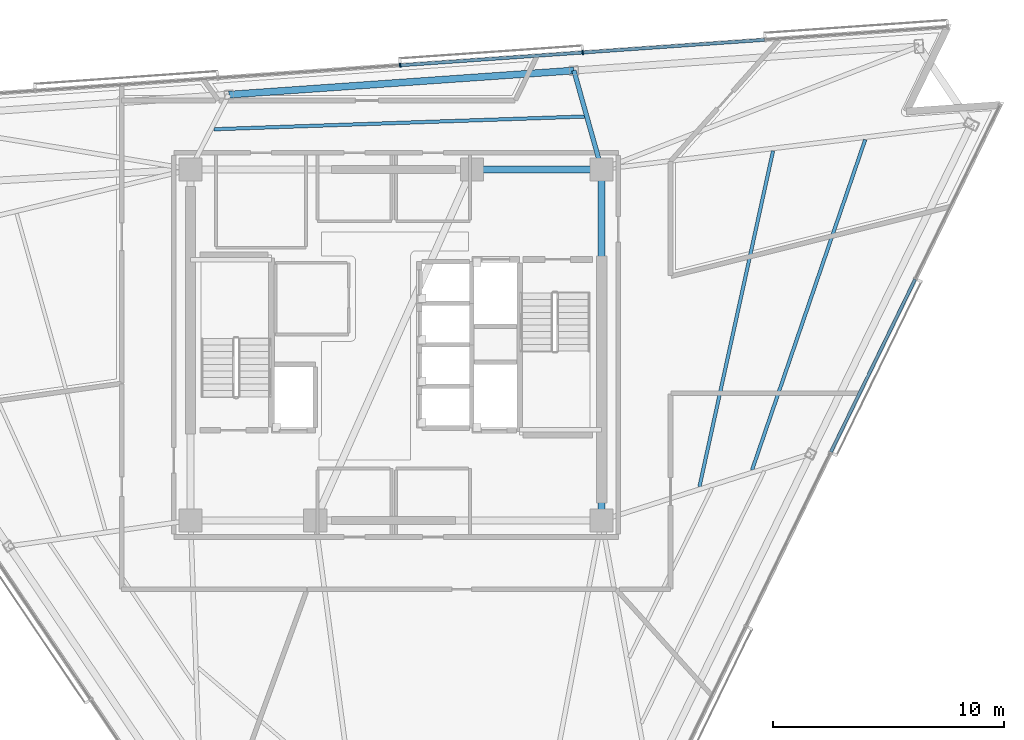
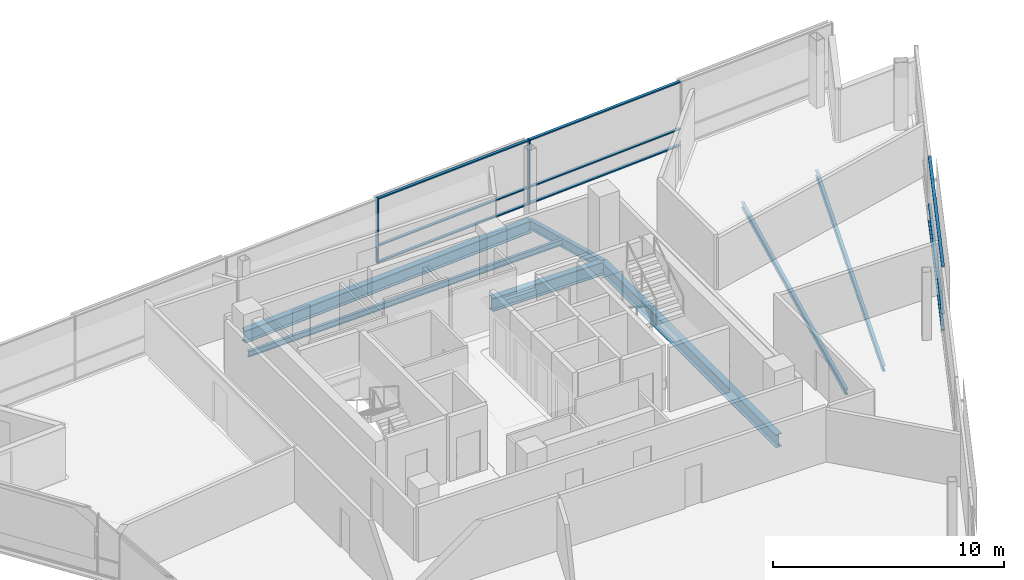
# One storey, part 6 of 16: 11 members, 7 beams, 2 elements without a shape of their own.
"""IFC4 building model written with IfcOpenShell, lengths in metres."""

from ifc_helpers import new_model, si_unit, direction, frame, origin, origin_2d, place, context, subcontext, project, spatial, rectangle, i_section, extrude, material, layer, layer_set, material_profile, profile_set, type_object, element, aggregate, save


model = new_model("IFC4")

# Units and contexts
model_context = context("Model", 3, precision=1e-05, world=origin(), true_north=direction((0.0, 1.0)))
body_context = subcontext(model_context, "Body", "Model", "MODEL_VIEW")
ifc_project = project(units=[si_unit("LENGTHUNIT", "METRE"), si_unit("AREAUNIT", "SQUARE_METRE"), si_unit("VOLUMEUNIT", "CUBIC_METRE"), si_unit("PLANEANGLEUNIT", "RADIAN"), si_unit("MASSUNIT", "GRAM", prefix="KILO")], contexts=[model_context])

# Site, building, storey
site_placement = place(None, origin())
site = spatial("IfcSite", under=ifc_project, at=site_placement, CompositionType="ELEMENT")
building_placement = place(site_placement, origin())
building = spatial("IfcBuilding", under=site, at=building_placement, Name="Tharavind Bronze Gate", CompositionType="ELEMENT")
storey_placement = place(building_placement, frame((0.0, 0.0, 257.0)))
storey = spatial("IfcBuildingStorey", under=building, at=storey_placement, Name="L66", CompositionType="ELEMENT", Elevation=257.0)

# Curtain wall, members
ifc_material_1 = material(Name="Anodised Bronze Aluminium", Category="aluminium")
ifc_layer = layer(ifc_material_1, 0.219970703125)
ifc_layer_set = layer_set([ifc_layer], Name="Anodised Bronze Aluminium")
curtain_wall_type = type_object("IfcCurtainWallType", Name="UNITISED CURTAIN WALL UPPER OFFICE", PredefinedType="USERDEFINED", material=ifc_layer_set)
curtain_wall_1_placement = place(storey_placement, origin())
curtain_wall_1 = element("IfcCurtainWall", 1, at=curtain_wall_1_placement, inside=storey, type_object=curtain_wall_type, Name="L66 unitised curtain wall upper office CW-L66-S3", ObjectType="UNITISED CURTAIN WALL", PredefinedType="USERDEFINED")
member_type_1 = type_object("IfcMemberType", Name="CURTAIN WALL BRONZE MULLION 65X180", PredefinedType="MULLION", material=ifc_material_1)
member_1_placement = place(storey_placement, frame((8.078369140625, 12.656005859375, 0.0), z_axis=(0.0, 0.0, 1.0), x_axis=(-0.997563806758, -0.069759955899, 0.0)))
member_1 = element("IfcMember", 2, at=member_1_placement, type_object=member_type_1, Name="CW-L66-S3 mullion 3", PredefinedType="MULLION", context=body_context, shape_type="SweptSolid", body=[
    extrude(rectangle(XDim=0.06494140625, YDim=0.179931640625, at=origin_2d()), origin(), (0.0, 0.0, 1.0), 3.419921875),
])
member_2_placement = place(storey_placement, frame((0.177490234375, 12.103515625, 0.0), z_axis=(0.0, 0.0, 1.0), x_axis=(-0.997563806758, -0.069759955899, 0.0)))
member_2 = element("IfcMember", 3, at=member_2_placement, type_object=member_type_1, Name="CW-L66-S3 mullion 4", PredefinedType="MULLION", context=body_context, shape_type="SweptSolid", body=[
    extrude(rectangle(XDim=0.06494140625, YDim=0.179931640625, at=origin_2d()), origin(), (0.0, 0.0, 1.0), 3.419921875),
])

curtain_wall_2_placement = place(storey_placement, origin())
curtain_wall_2 = element("IfcCurtainWall", 4, at=curtain_wall_2_placement, inside=storey, type_object=curtain_wall_type, Name="L66 unitised curtain wall upper office CW-L66-S2", ObjectType="UNITISED CURTAIN WALL", PredefinedType="USERDEFINED")
member_type_2 = type_object("IfcMemberType", Name="CURTAIN WALL BRONZE TRANSOM 65X140", PredefinedType="USERDEFINED", material=ifc_material_1)
member_3_placement = place(storey_placement, frame((20.64990234375, -0.89892578125, 0.0), z_axis=(0.0, 0.0, 1.0), x_axis=(0.43837271548, 0.898793281196, 0.0)))
member_3 = element("IfcMember", 5, at=member_3_placement, type_object=member_type_2, Name="CW-L66-S2 transom TB5", ObjectType="TRANSOM", PredefinedType="USERDEFINED", context=body_context, shape_type="SweptSolid", body=[
    extrude(rectangle(XDim=8.3193359375, YDim=0.139892578125, at=origin_2d()), origin(), (0.0, 0.0, 1.0), 0.06494140625),
])
member_4_placement = place(storey_placement, frame((20.64990234375, -0.89892578125, 0.867431640625), z_axis=(0.0, 0.0, 1.0), x_axis=(0.43837271548, 0.898793281196, 0.0)))
member_4 = element("IfcMember", 6, at=member_4_placement, type_object=member_type_2, Name="CW-L66-S2 transom TS5", ObjectType="TRANSOM", PredefinedType="USERDEFINED", context=body_context, shape_type="SweptSolid", body=[
    extrude(rectangle(XDim=8.3193359375, YDim=0.139892578125, at=origin_2d()), origin(), (0.0, 0.0, 1.0), 0.06494140625),
])
member_5_placement = place(storey_placement, frame((20.64990234375, -0.89892578125, 3.35498046875), z_axis=(0.0, 0.0, 1.0), x_axis=(0.43837271548, 0.898793281196, 0.0)))
member_5 = element("IfcMember", 7, at=member_5_placement, type_object=member_type_2, Name="CW-L66-S2 transom TT5", ObjectType="TRANSOM", PredefinedType="USERDEFINED", context=body_context, shape_type="SweptSolid", body=[
    extrude(rectangle(XDim=8.3193359375, YDim=0.139892578125, at=origin_2d()), origin(), (0.0, 0.0, 1.0), 0.06494140625),
])
aggregate(curtain_wall_2, [member_3, member_4, member_5])

# Member
member_6_placement = place(storey_placement, frame((12.02880859375, 12.932373046875, 0.0), z_axis=(0.0, 0.0, 1.0), x_axis=(-0.997563806758, -0.069759955899, 0.0)))
member_6 = element("IfcMember", 8, at=member_6_placement, type_object=member_type_2, Name="CW-L66-S3 transom TB2", ObjectType="TRANSOM", PredefinedType="USERDEFINED", context=body_context, shape_type="SweptSolid", body=[
    extrude(rectangle(XDim=7.8671875, YDim=0.139892578125, at=origin_2d()), origin(), (0.0, 0.0, 1.0), 0.06494140625),
])

member_7_placement = place(storey_placement, frame((12.02880859375, 12.932373046875, 0.867431640625), z_axis=(0.0, 0.0, 1.0), x_axis=(-0.997563806758, -0.069759955899, 0.0)))
member_7 = element("IfcMember", 9, at=member_7_placement, type_object=member_type_2, Name="CW-L66-S3 transom TS2", ObjectType="TRANSOM", PredefinedType="USERDEFINED", context=body_context, shape_type="SweptSolid", body=[
    extrude(rectangle(XDim=7.8671875, YDim=0.139892578125, at=origin_2d()), origin(), (0.0, 0.0, 1.0), 0.06494140625),
])

member_8_placement = place(storey_placement, frame((12.02880859375, 12.932373046875, 3.35498046875), z_axis=(0.0, 0.0, 1.0), x_axis=(-0.997563806758, -0.069759955899, 0.0)))
member_8 = element("IfcMember", 10, at=member_8_placement, type_object=member_type_2, Name="CW-L66-S3 transom TT2", ObjectType="TRANSOM", PredefinedType="USERDEFINED", context=body_context, shape_type="SweptSolid", body=[
    extrude(rectangle(XDim=7.8671875, YDim=0.139892578125, at=origin_2d()), origin(), (0.0, 0.0, 1.0), 0.06494140625),
])

member_9_placement = place(storey_placement, frame((4.1279296875, 12.3798828125, 0.0), z_axis=(0.0, 0.0, 1.0), x_axis=(-0.997563806758, -0.069759955899, 0.0)))
member_9 = element("IfcMember", 11, at=member_9_placement, type_object=member_type_2, Name="CW-L66-S3 transom TB3", ObjectType="TRANSOM", PredefinedType="USERDEFINED", context=body_context, shape_type="SweptSolid", body=[
    extrude(rectangle(XDim=7.8671875, YDim=0.139892578125, at=origin_2d()), origin(), (0.0, 0.0, 1.0), 0.06494140625),
])

member_10_placement = place(storey_placement, frame((4.1279296875, 12.3798828125, 0.867431640625), z_axis=(0.0, 0.0, 1.0), x_axis=(-0.997563806758, -0.069759955899, 0.0)))
member_10 = element("IfcMember", 12, at=member_10_placement, type_object=member_type_2, Name="CW-L66-S3 transom TS3", ObjectType="TRANSOM", PredefinedType="USERDEFINED", context=body_context, shape_type="SweptSolid", body=[
    extrude(rectangle(XDim=7.8671875, YDim=0.139892578125, at=origin_2d()), origin(), (0.0, 0.0, 1.0), 0.06494140625),
])

member_11_placement = place(storey_placement, frame((4.1279296875, 12.3798828125, 3.35498046875), z_axis=(0.0, 0.0, 1.0), x_axis=(-0.997563806758, -0.069759955899, 0.0)))
member_11 = element("IfcMember", 13, at=member_11_placement, type_object=member_type_2, Name="CW-L66-S3 transom TT3", ObjectType="TRANSOM", PredefinedType="USERDEFINED", context=body_context, shape_type="SweptSolid", body=[
    extrude(rectangle(XDim=7.8671875, YDim=0.139892578125, at=origin_2d()), origin(), (0.0, 0.0, 1.0), 0.06494140625),
])

aggregate(curtain_wall_1, [member_1, member_2, member_6, member_7, member_8, member_9, member_10, member_11])

# Beams
ifc_material_2 = material(Name="Steel S355", Category="steel")
ifc_material_profile_1 = material_profile(ifc_material_2, i_section(OverallWidth=0.300048828125, OverallDepth=0.64990234375, WebThickness=0.01611328125, FlangeThickness=0.031005859375, at=origin_2d()), Name="HE650B")
ifc_profile_set_1 = profile_set([ifc_material_profile_1], Name="Steel S355")
beam_type_1 = type_object("IfcBeamType", Name="PRIMARY GIRDER HE650B", PredefinedType="USERDEFINED", material=ifc_profile_set_1)
beam_1_placement = place(storey_placement, frame((7.69873046875, 11.877685546875, -0.5048828125), z_axis=(-0.997563609873, -0.069762771286, 0.0), x_axis=(0.069762771286, -0.997563609873, 0.0)))
element("IfcBeam", 14, at=beam_1_placement, inside=storey, type_object=beam_type_1, Name="L66 primary girder he650b BM-L66-PRG10", ObjectType="GIRDER", PredefinedType="USERDEFINED", context=body_context, shape_type="SweptSolid", body=[
    extrude(i_section(OverallWidth=0.300048828125, OverallDepth=0.64990234375, WebThickness=0.01611328125, FlangeThickness=0.031005859375, at=origin_2d()), origin(), (0.0, 0.0, 1.0), 14.974609375),
])
ifc_material_profile_2 = material_profile(ifc_material_2, i_section(OverallWidth=0.199951171875, OverallDepth=0.5, WebThickness=0.01025390625, FlangeThickness=0.01611328125, at=origin_2d()), Name="IPE500")
ifc_profile_set_2 = profile_set([ifc_material_profile_2], Name="Steel S355")
beam_type_2 = type_object("IfcBeamType", Name="PRIMARY GIRDER IPE500", PredefinedType="USERDEFINED", material=ifc_profile_set_2)
beam_2_placement = place(storey_placement, frame((7.69873046875, 11.877685546875, -0.429931640625), z_axis=(0.270349324095, -0.962762298265, 0.0), x_axis=(0.962762298265, 0.270349324095, 0.0)))
element("IfcBeam", 15, at=beam_2_placement, inside=storey, type_object=beam_type_2, Name="L66 primary girder ipe500 BM-L66-RAD10", ObjectType="GIRDER", PredefinedType="USERDEFINED", context=body_context, shape_type="SweptSolid", body=[
    extrude(i_section(OverallWidth=0.199951171875, OverallDepth=0.5, WebThickness=0.01025390625, FlangeThickness=0.01611328125, at=origin_2d()), origin(), (0.0, 0.0, 1.0), 4.443115234375),
])
ifc_material_profile_3 = material_profile(ifc_material_2, i_section(OverallWidth=0.300048828125, OverallDepth=0.699951171875, WebThickness=0.01708984375, FlangeThickness=0.031982421875, at=origin_2d()), Name="HE700B")
ifc_profile_set_3 = profile_set([ifc_material_profile_3], Name="Steel S355")
beam_type_3 = type_object("IfcBeamType", Name="RING GIRDER HE700B", PredefinedType="USERDEFINED", material=ifc_profile_set_3)
beam_3_placement = place(storey_placement, frame((8.89990234375, -7.60009765625, -0.530029296875), z_axis=(0.0, 1.0, 0.0), x_axis=(-1.0, 0.0, 0.0)))
element("IfcBeam", 16, at=beam_3_placement, inside=storey, type_object=beam_type_3, Name="L66 ring girder he700b BM-L66-CR3", ObjectType="GIRDER", PredefinedType="USERDEFINED", context=body_context, shape_type="SweptSolid", body=[
    extrude(i_section(OverallWidth=0.300048828125, OverallDepth=0.699951171875, WebThickness=0.01708984375, FlangeThickness=0.031982421875, at=origin_2d()), origin(), (0.0, 0.0, 1.0), 15.2001953125),
])
beam_4_placement = place(storey_placement, frame((8.89990234375, 7.60009765625, -0.530029296875), z_axis=(-1.0, 0.0, 0.0), x_axis=(0.0, -1.0, 0.0)))
element("IfcBeam", 17, at=beam_4_placement, inside=storey, type_object=beam_type_3, Name="L66 ring girder he700b BM-L66-CR4", ObjectType="GIRDER", PredefinedType="USERDEFINED", context=body_context, shape_type="SweptSolid", body=[
    extrude(i_section(OverallWidth=0.300048828125, OverallDepth=0.699951171875, WebThickness=0.01708984375, FlangeThickness=0.031982421875, at=origin_2d()), origin(), (0.0, 0.0, 1.0), 5.619873046875),
])
ifc_material_profile_4 = material_profile(ifc_material_2, i_section(OverallWidth=0.14990234375, OverallDepth=0.300048828125, WebThickness=0.007080078125, FlangeThickness=0.0107421875, at=origin_2d()), Name="IPE300")
ifc_profile_set_4 = profile_set([ifc_material_profile_4], Name="Steel S355")
beam_type_4 = type_object("IfcBeamType", Name="SECONDARY FLOOR JOIST IPE300", PredefinedType="JOIST", material=ifc_profile_set_4)
beam_5_placement = place(storey_placement, frame((13.13427734375, -6.14501953125, -0.330078125), z_axis=(0.21409442117, 0.976812970237, 0.0), x_axis=(-0.976812970237, 0.21409442117, 0.0)))
element("IfcBeam", 18, at=beam_5_placement, inside=storey, type_object=beam_type_4, Name="L66 secondary floor joist ipe300 BM-L66-JSTA07", PredefinedType="JOIST", context=body_context, shape_type="SweptSolid", body=[
    extrude(i_section(OverallWidth=0.14990234375, OverallDepth=0.300048828125, WebThickness=0.007080078125, FlangeThickness=0.0107421875, at=origin_2d()), origin(), (0.0, 0.0, 1.0), 14.889404296875),
])
beam_6_placement = place(storey_placement, frame((15.4130859375, -5.420654296875, -0.330078125), z_axis=(0.323918937062, 0.946084838803, 0.0), x_axis=(-0.946084838803, 0.323918937062, 0.0)))
element("IfcBeam", 19, at=beam_6_placement, inside=storey, type_object=beam_type_4, Name="L66 secondary floor joist ipe300 BM-L66-JSTB07", PredefinedType="JOIST", context=body_context, shape_type="SweptSolid", body=[
    extrude(i_section(OverallWidth=0.14990234375, OverallDepth=0.300048828125, WebThickness=0.007080078125, FlangeThickness=0.0107421875, at=origin_2d()), origin(), (0.0, 0.0, 1.0), 15.120849609375),
])
beam_7_placement = place(storey_placement, frame((8.150390625, 9.885009765625, -0.330078125), z_axis=(-0.999410182426, -0.034340752228, 0.0), x_axis=(0.034340752228, -0.999410182426, 0.0)))
element("IfcBeam", 20, at=beam_7_placement, inside=storey, type_object=beam_type_4, Name="L66 secondary floor joist ipe300 BM-L66-JSTA10", PredefinedType="JOIST", context=body_context, shape_type="SweptSolid", body=[
    extrude(i_section(OverallWidth=0.14990234375, OverallDepth=0.300048828125, WebThickness=0.007080078125, FlangeThickness=0.0107421875, at=origin_2d()), origin(), (0.0, 0.0, 1.0), 16.052978515625),
])

save(model, "model.ifc")
